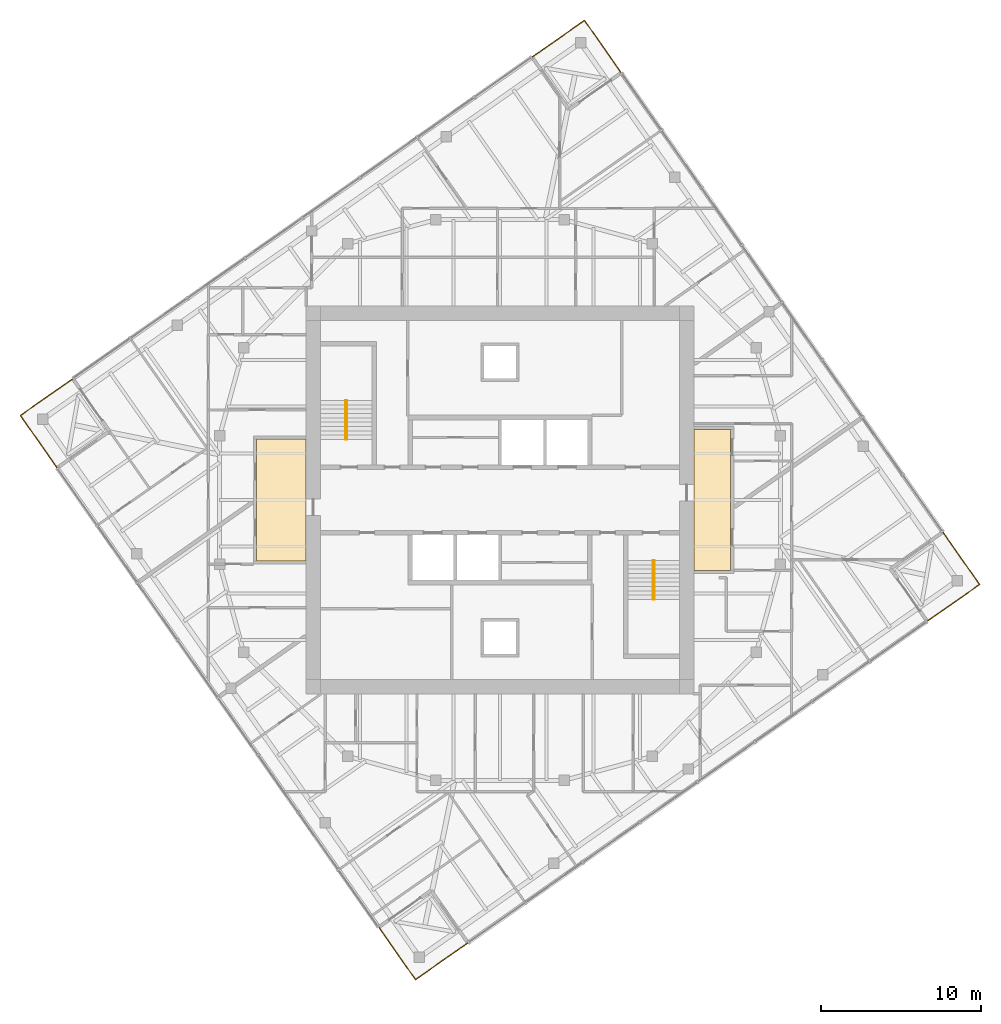
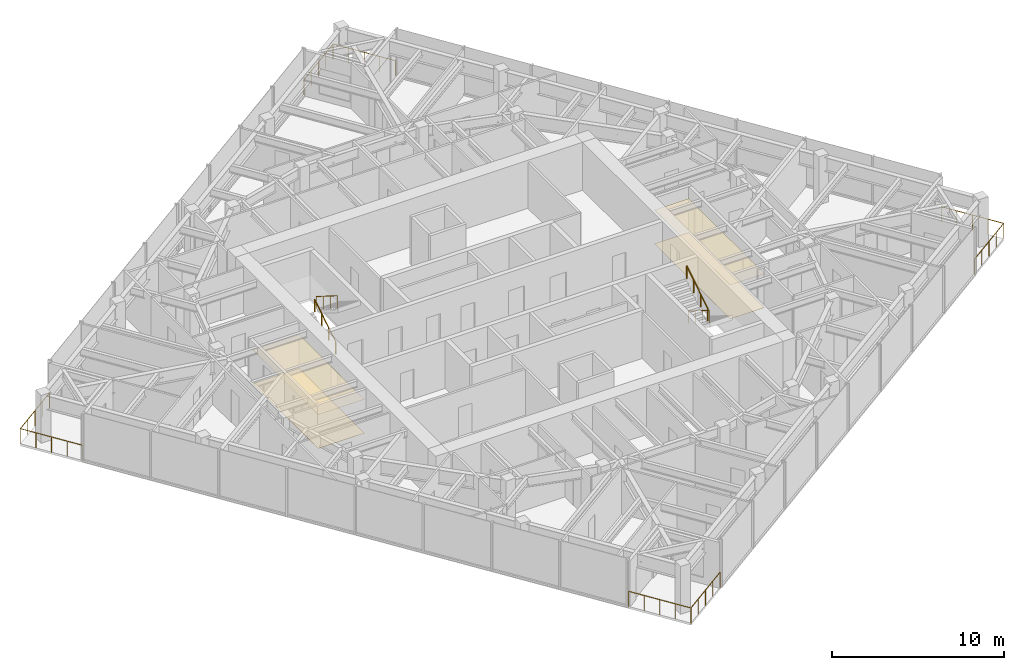
# One storey, part 13 of 13: 8 railings, 4 coverings, 2 elements without a shape of their own.
"""IFC4 building model written with IfcOpenShell, lengths in metres."""

from ifc_helpers import new_model, si_unit, direction, frame, origin, origin_2d, place, context, subcontext, project, spatial, polyline, circle, outline, extrude, material, layer, layer_set, type_object, element, aggregate, save


model = new_model("IFC4")

# Units and contexts
model_context = context("Model", 3, precision=1e-05, world=origin(), true_north=direction((0.0, 1.0)))
body_context = subcontext(model_context, "Body", "Model", "MODEL_VIEW")
ifc_project = project(units=[si_unit("LENGTHUNIT", "METRE"), si_unit("AREAUNIT", "SQUARE_METRE"), si_unit("VOLUMEUNIT", "CUBIC_METRE"), si_unit("PLANEANGLEUNIT", "RADIAN"), si_unit("MASSUNIT", "GRAM", prefix="KILO")], contexts=[model_context])

# Site, building, storey
site_placement = place(None, origin())
site = spatial("IfcSite", under=ifc_project, at=site_placement, CompositionType="ELEMENT")
building_placement = place(site_placement, origin())
building = spatial("IfcBuilding", under=site, at=building_placement, Name="Torsade Residences", CompositionType="ELEMENT")
storey_placement = place(building_placement, frame((0.0, 0.0, 260.800048828125)))
storey = spatial("IfcBuildingStorey", under=building, at=storey_placement, Name="L72", CompositionType="ELEMENT", Elevation=260.800048828125)

# Coverings
ifc_material_1 = material(Name="Nylon carpet tile on underlay", Category="textile")
ifc_layer_1 = layer(ifc_material_1, 0.010009765625)
ifc_layer_set_1 = layer_set([ifc_layer_1], Name="Nylon carpet tile on underlay")
covering_type_1 = type_object("IfcCoveringType", Name="CORRIDOR CARPET TILE 10", PredefinedType="FLOORING", material=ifc_layer_set_1)
covering_1_placement = place(storey_placement, origin())
element("IfcCovering", 1, at=covering_1_placement, inside=storey, type_object=covering_type_1, Name="Corridor carpet L72", PredefinedType="FLOORING", context=body_context, shape_type="SweptSolid", body=[
    extrude(outline(polyline([(54.39990234375, 25.60009765625), (54.39990234375, 34.39990234375), (52.10009765625, 34.39990234375), (52.10009765625, 25.60009765625), (54.39990234375, 25.60009765625)])), origin(), (0.0, 0.0, 1.0), 0.010009765625),
])
covering_2_placement = place(storey_placement, origin())
element("IfcCovering", 2, at=covering_2_placement, inside=storey, type_object=covering_type_1, Name="Corridor carpet west L72", PredefinedType="FLOORING", context=body_context, shape_type="SweptSolid", body=[
    extrude(outline(polyline([(27.89990234375, 26.199951171875), (27.89990234375, 33.800048828125), (24.800048828125, 33.800048828125), (24.800048828125, 26.199951171875), (27.89990234375, 26.199951171875)])), origin(), (0.0, 0.0, 1.0), 0.010009765625),
])
ifc_material_2 = material(Name="Plasterboard on suspended steel grid", Category="steel")
ifc_layer_2 = layer(ifc_material_2, 0.012939453125)
ifc_layer_set_2 = layer_set([ifc_layer_2], Name="Plasterboard on suspended steel grid")
covering_type_2 = type_object("IfcCoveringType", Name="CORRIDOR SUSPENDED CEILING 13", PredefinedType="CEILING", material=ifc_layer_set_2)
covering_3_placement = place(storey_placement, frame((0.0, 0.0, 2.39990234375)))
element("IfcCovering", 3, at=covering_3_placement, inside=storey, type_object=covering_type_2, Name="Corridor ceiling L72", PredefinedType="CEILING", context=body_context, shape_type="SweptSolid", body=[
    extrude(outline(polyline([(54.39990234375, 25.60009765625), (54.39990234375, 34.39990234375), (52.10009765625, 34.39990234375), (52.10009765625, 25.60009765625), (54.39990234375, 25.60009765625)])), origin(), (0.0, 0.0, 1.0), 0.012939453125),
])
covering_4_placement = place(storey_placement, frame((0.0, 0.0, 2.39990234375)))
element("IfcCovering", 4, at=covering_4_placement, inside=storey, type_object=covering_type_2, Name="Corridor ceiling west L72", PredefinedType="CEILING", context=body_context, shape_type="SweptSolid", body=[
    extrude(outline(polyline([(27.89990234375, 26.199951171875), (27.89990234375, 33.800048828125), (24.800048828125, 33.800048828125), (24.800048828125, 26.199951171875), (27.89990234375, 26.199951171875)])), origin(), (0.0, 0.0, 1.0), 0.012939453125),
])

# Stair, railings
ifc_material_3 = material(Name="Precast concrete 40 MPa", Category="concrete")
stair_type = type_object("IfcStairType", Name="HALF-TURN FIRE STAIR 1500x3400", PredefinedType="HALF_TURN_STAIR", material=ifc_material_3)
stair_1_placement = place(storey_placement, origin())
stair_1 = element("IfcStair", 5, at=stair_1_placement, inside=storey, type_object=stair_type, Name="Stair ST1 L72", PredefinedType="HALF_TURN_STAIR")
ifc_material_4 = material(Name="Steel handrail", Category="steel")
railing_type_1 = type_object("IfcRailingType", Name="STAIR HANDRAIL 900", PredefinedType="HANDRAIL", material=ifc_material_4)
railing_1_placement = place(storey_placement, frame((30.35009765625, 33.780029296875, 0.169921875)))
railing_1 = element("IfcRailing", 6, at=railing_1_placement, type_object=railing_type_1, Name="Handrail ST1 flight 1 L72", PredefinedType="HANDRAIL", context=body_context, shape_type="SweptSolid", body=[
    extrude(circle(Radius=0.02392578125, at=origin_2d()), frame((0.0, 0.0, 0.8759765625), z_axis=(0.0, 0.846221481393, 0.532831309544), x_axis=(-1.0, 0.0, 0.0)), (0.0, 0.0, 1.0), 2.87158203125),
    extrude(circle(Radius=0.02099609375, at=origin_2d()), origin(), (0.0, 0.0, 1.0), 0.851806640625),
    extrude(circle(Radius=0.02099609375, at=origin_2d()), frame((0.0, 0.81005859375, 0.510009765625)), (0.0, 0.0, 1.0), 0.851806640625),
    extrude(circle(Radius=0.02099609375, at=origin_2d()), frame((0.0, 1.619873046875, 1.02001953125)), (0.0, 0.0, 1.0), 0.851806640625),
    extrude(circle(Radius=0.02099609375, at=origin_2d()), frame((0.0, 2.429931640625, 1.530029296875)), (0.0, 0.0, 1.0), 0.851806640625),
])
railing_2_placement = place(storey_placement, frame((30.449951171875, 36.2099609375, 1.869873046875)))
railing_2 = element("IfcRailing", 7, at=railing_2_placement, type_object=railing_type_1, Name="Handrail ST1 flight 2 L72", PredefinedType="HANDRAIL", context=body_context, shape_type="SweptSolid", body=[
    extrude(circle(Radius=0.02392578125, at=origin_2d()), frame((0.0, 0.0, 0.8759765625), z_axis=(0.0, -0.846221481393, 0.532831309544), x_axis=(1.0, 0.0, 0.0)), (0.0, 0.0, 1.0), 2.87158203125),
    extrude(circle(Radius=0.02099609375, at=origin_2d()), origin(), (0.0, 0.0, 1.0), 0.851806640625),
    extrude(circle(Radius=0.02099609375, at=origin_2d()), frame((0.0, -0.81005859375, 0.510009765625)), (0.0, 0.0, 1.0), 0.851806640625),
    extrude(circle(Radius=0.02099609375, at=origin_2d()), frame((0.0, -1.619873046875, 1.02001953125)), (0.0, 0.0, 1.0), 0.851806640625),
    extrude(circle(Radius=0.02099609375, at=origin_2d()), frame((0.0, -2.429931640625, 1.530029296875)), (0.0, 0.0, 1.0), 0.851806640625),
])
aggregate(stair_1, [railing_1, railing_2])

stair_2_placement = place(storey_placement, origin())
stair_2 = element("IfcStair", 8, at=stair_2_placement, inside=storey, type_object=stair_type, Name="Stair ST2 L72", PredefinedType="HALF_TURN_STAIR")
railing_3_placement = place(storey_placement, frame((49.64990234375, 26.219970703125, 0.169921875)))
railing_3 = element("IfcRailing", 9, at=railing_3_placement, type_object=railing_type_1, Name="Handrail ST2 flight 1 L72", PredefinedType="HANDRAIL", context=body_context, shape_type="SweptSolid", body=[
    extrude(circle(Radius=0.02392578125, at=origin_2d()), frame((0.0, 0.0, 0.8759765625), z_axis=(0.0, -0.846221481393, 0.532831309544), x_axis=(1.0, 0.0, 0.0)), (0.0, 0.0, 1.0), 2.87158203125),
    extrude(circle(Radius=0.02099609375, at=origin_2d()), origin(), (0.0, 0.0, 1.0), 0.851806640625),
    extrude(circle(Radius=0.02099609375, at=origin_2d()), frame((0.0, -0.81005859375, 0.510009765625)), (0.0, 0.0, 1.0), 0.851806640625),
    extrude(circle(Radius=0.02099609375, at=origin_2d()), frame((0.0, -1.619873046875, 1.02001953125)), (0.0, 0.0, 1.0), 0.851806640625),
    extrude(circle(Radius=0.02099609375, at=origin_2d()), frame((0.0, -2.429931640625, 1.530029296875)), (0.0, 0.0, 1.0), 0.851806640625),
])
railing_4_placement = place(storey_placement, frame((49.550048828125, 23.7900390625, 1.869873046875)))
railing_4 = element("IfcRailing", 10, at=railing_4_placement, type_object=railing_type_1, Name="Handrail ST2 flight 2 L72", PredefinedType="HANDRAIL", context=body_context, shape_type="SweptSolid", body=[
    extrude(circle(Radius=0.02392578125, at=origin_2d()), frame((0.0, 0.0, 0.8759765625), z_axis=(0.0, 0.846221481393, 0.532831309544), x_axis=(-1.0, 0.0, 0.0)), (0.0, 0.0, 1.0), 2.87158203125),
    extrude(circle(Radius=0.02099609375, at=origin_2d()), origin(), (0.0, 0.0, 1.0), 0.851806640625),
    extrude(circle(Radius=0.02099609375, at=origin_2d()), frame((0.0, 0.81005859375, 0.510009765625)), (0.0, 0.0, 1.0), 0.851806640625),
    extrude(circle(Radius=0.02099609375, at=origin_2d()), frame((0.0, 1.619873046875, 1.02001953125)), (0.0, 0.0, 1.0), 0.851806640625),
    extrude(circle(Radius=0.02099609375, at=origin_2d()), frame((0.0, 2.429931640625, 1.530029296875)), (0.0, 0.0, 1.0), 0.851806640625),
])
aggregate(stair_2, [railing_3, railing_4])

# Railings
ifc_material_5 = material(Name="Laminated glass balustrade", Category="glass")
railing_type_2 = type_object("IfcRailingType", Name="TERRACE GLASS BALUSTRADE 1100", PredefinedType="BALUSTRADE", material=ifc_material_5)
railing_5_placement = place(storey_placement, frame((66.6669921875, 22.42578125, 0.0)))
element("IfcRailing", 11, at=railing_5_placement, inside=storey, type_object=railing_type_2, Name="Terrace balustrade SE L72", PredefinedType="BALUSTRADE", context=body_context, shape_type="SweptSolid", body=[
    extrude(circle(Radius=0.02392578125, at=origin_2d()), frame((0.0, 0.0, 1.076171875), z_axis=(0.819137286189, 0.573597512525, 0.0), x_axis=(-0.573597512525, 0.819137286189, 0.0)), (0.0, 0.0, 1.0), 4.0),
    extrude(circle(Radius=0.02392578125, at=origin_2d()), frame((3.276611328125, 2.29443359375, 1.076171875), z_axis=(-0.573556557423, 0.819165963305, 0.0), x_axis=(-0.819165963305, -0.573556557423, 0.0)), (0.0, 0.0, 1.0), 4.0),
    extrude(circle(Radius=0.02099609375, at=origin_2d()), origin(), (0.0, 0.0, 1.0), 1.052001953125),
    extrude(circle(Radius=0.02099609375, at=origin_2d()), frame((0.819091796875, 0.57373046875, 0.0)), (0.0, 0.0, 1.0), 1.052001953125),
    extrude(circle(Radius=0.02099609375, at=origin_2d()), frame((1.63818359375, 1.147216796875, 0.0)), (0.0, 0.0, 1.0), 1.052001953125),
    extrude(circle(Radius=0.02099609375, at=origin_2d()), frame((2.45751953125, 1.720703125, 0.0)), (0.0, 0.0, 1.0), 1.052001953125),
    extrude(circle(Radius=0.02099609375, at=origin_2d()), frame((3.276611328125, 2.29443359375, 0.0)), (0.0, 0.0, 1.0), 1.052001953125),
    extrude(circle(Radius=0.02099609375, at=origin_2d()), frame((2.703125, 3.113525390625, 0.0)), (0.0, 0.0, 1.0), 1.052001953125),
    extrude(circle(Radius=0.02099609375, at=origin_2d()), frame((2.12939453125, 3.9326171875, 0.0)), (0.0, 0.0, 1.0), 1.052001953125),
    extrude(circle(Radius=0.02099609375, at=origin_2d()), frame((1.555908203125, 4.751953125, 0.0)), (0.0, 0.0, 1.0), 1.052001953125),
    extrude(circle(Radius=0.02099609375, at=origin_2d()), frame((0.982421875, 5.571044921875, 0.0)), (0.0, 0.0, 1.0), 1.052001953125),
])
railing_6_placement = place(storey_placement, frame((47.57421875, 56.6669921875, 0.0)))
element("IfcRailing", 12, at=railing_6_placement, inside=storey, type_object=railing_type_2, Name="Terrace balustrade NE L72", PredefinedType="BALUSTRADE", context=body_context, shape_type="SweptSolid", body=[
    extrude(circle(Radius=0.02392578125, at=origin_2d()), frame((0.0, 0.0, 1.076171875), z_axis=(-0.573597512525, 0.819137286189, 0.0), x_axis=(-0.819137286189, -0.573597512525, 0.0)), (0.0, 0.0, 1.0), 4.0),
    extrude(circle(Radius=0.02392578125, at=origin_2d()), frame((-2.29443359375, 3.276611328125, 1.076171875), z_axis=(-0.819165963305, -0.573556557423, 0.0), x_axis=(0.573556557423, -0.819165963305, 0.0)), (0.0, 0.0, 1.0), 4.0),
    extrude(circle(Radius=0.02099609375, at=origin_2d()), origin(), (0.0, 0.0, 1.0), 1.052001953125),
    extrude(circle(Radius=0.02099609375, at=origin_2d()), frame((-0.57373046875, 0.819091796875, 0.0)), (0.0, 0.0, 1.0), 1.052001953125),
    extrude(circle(Radius=0.02099609375, at=origin_2d()), frame((-1.147216796875, 1.63818359375, 0.0)), (0.0, 0.0, 1.0), 1.052001953125),
    extrude(circle(Radius=0.02099609375, at=origin_2d()), frame((-1.720703125, 2.45751953125, 0.0)), (0.0, 0.0, 1.0), 1.052001953125),
    extrude(circle(Radius=0.02099609375, at=origin_2d()), frame((-2.29443359375, 3.276611328125, 0.0)), (0.0, 0.0, 1.0), 1.052001953125),
    extrude(circle(Radius=0.02099609375, at=origin_2d()), frame((-3.113525390625, 2.703125, 0.0)), (0.0, 0.0, 1.0), 1.052001953125),
    extrude(circle(Radius=0.02099609375, at=origin_2d()), frame((-3.9326171875, 2.12939453125, 0.0)), (0.0, 0.0, 1.0), 1.052001953125),
    extrude(circle(Radius=0.02099609375, at=origin_2d()), frame((-4.751953125, 1.555908203125, 0.0)), (0.0, 0.0, 1.0), 1.052001953125),
    extrude(circle(Radius=0.02099609375, at=origin_2d()), frame((-5.571044921875, 0.982421875, 0.0)), (0.0, 0.0, 1.0), 1.052001953125),
])
railing_7_placement = place(storey_placement, frame((13.3330078125, 37.57421875, 0.0)))
element("IfcRailing", 13, at=railing_7_placement, inside=storey, type_object=railing_type_2, Name="Terrace balustrade NW L72", PredefinedType="BALUSTRADE", context=body_context, shape_type="SweptSolid", body=[
    extrude(circle(Radius=0.02392578125, at=origin_2d()), frame((0.0, 0.0, 1.076171875), z_axis=(-0.819137286189, -0.573597512525, 0.0), x_axis=(0.573597512525, -0.819137286189, 0.0)), (0.0, 0.0, 1.0), 4.0),
    extrude(circle(Radius=0.02392578125, at=origin_2d()), frame((-3.276611328125, -2.29443359375, 1.076171875), z_axis=(0.573556557423, -0.819165963305, 0.0), x_axis=(0.819165963305, 0.573556557423, 0.0)), (0.0, 0.0, 1.0), 4.0),
    extrude(circle(Radius=0.02099609375, at=origin_2d()), origin(), (0.0, 0.0, 1.0), 1.052001953125),
    extrude(circle(Radius=0.02099609375, at=origin_2d()), frame((-0.819091796875, -0.57373046875, 0.0)), (0.0, 0.0, 1.0), 1.052001953125),
    extrude(circle(Radius=0.02099609375, at=origin_2d()), frame((-1.63818359375, -1.147216796875, 0.0)), (0.0, 0.0, 1.0), 1.052001953125),
    extrude(circle(Radius=0.02099609375, at=origin_2d()), frame((-2.45751953125, -1.720703125, 0.0)), (0.0, 0.0, 1.0), 1.052001953125),
    extrude(circle(Radius=0.02099609375, at=origin_2d()), frame((-3.276611328125, -2.29443359375, 0.0)), (0.0, 0.0, 1.0), 1.052001953125),
    extrude(circle(Radius=0.02099609375, at=origin_2d()), frame((-2.703125, -3.113525390625, 0.0)), (0.0, 0.0, 1.0), 1.052001953125),
    extrude(circle(Radius=0.02099609375, at=origin_2d()), frame((-2.12939453125, -3.9326171875, 0.0)), (0.0, 0.0, 1.0), 1.052001953125),
    extrude(circle(Radius=0.02099609375, at=origin_2d()), frame((-1.555908203125, -4.751953125, 0.0)), (0.0, 0.0, 1.0), 1.052001953125),
    extrude(circle(Radius=0.02099609375, at=origin_2d()), frame((-0.982421875, -5.571044921875, 0.0)), (0.0, 0.0, 1.0), 1.052001953125),
])
railing_8_placement = place(storey_placement, frame((32.42578125, 3.3330078125, 0.0)))
element("IfcRailing", 14, at=railing_8_placement, inside=storey, type_object=railing_type_2, Name="Terrace balustrade SW L72", PredefinedType="BALUSTRADE", context=body_context, shape_type="SweptSolid", body=[
    extrude(circle(Radius=0.02392578125, at=origin_2d()), frame((0.0, 0.0, 1.076171875), z_axis=(0.573597512525, -0.819137286189, 0.0), x_axis=(0.819137286189, 0.573597512525, 0.0)), (0.0, 0.0, 1.0), 4.0),
    extrude(circle(Radius=0.02392578125, at=origin_2d()), frame((2.29443359375, -3.276611328125, 1.076171875), z_axis=(0.819165963305, 0.573556557423, 0.0), x_axis=(-0.573556557423, 0.819165963305, 0.0)), (0.0, 0.0, 1.0), 4.0),
    extrude(circle(Radius=0.02099609375, at=origin_2d()), origin(), (0.0, 0.0, 1.0), 1.052001953125),
    extrude(circle(Radius=0.02099609375, at=origin_2d()), frame((0.57373046875, -0.819091796875, 0.0)), (0.0, 0.0, 1.0), 1.052001953125),
    extrude(circle(Radius=0.02099609375, at=origin_2d()), frame((1.147216796875, -1.63818359375, 0.0)), (0.0, 0.0, 1.0), 1.052001953125),
    extrude(circle(Radius=0.02099609375, at=origin_2d()), frame((1.720703125, -2.45751953125, 0.0)), (0.0, 0.0, 1.0), 1.052001953125),
    extrude(circle(Radius=0.02099609375, at=origin_2d()), frame((2.29443359375, -3.276611328125, 0.0)), (0.0, 0.0, 1.0), 1.052001953125),
    extrude(circle(Radius=0.02099609375, at=origin_2d()), frame((3.113525390625, -2.703125, 0.0)), (0.0, 0.0, 1.0), 1.052001953125),
    extrude(circle(Radius=0.02099609375, at=origin_2d()), frame((3.9326171875, -2.12939453125, 0.0)), (0.0, 0.0, 1.0), 1.052001953125),
    extrude(circle(Radius=0.02099609375, at=origin_2d()), frame((4.751953125, -1.555908203125, 0.0)), (0.0, 0.0, 1.0), 1.052001953125),
    extrude(circle(Radius=0.02099609375, at=origin_2d()), frame((5.571044921875, -0.982421875, 0.0)), (0.0, 0.0, 1.0), 1.052001953125),
])

save(model, "model.ifc")
